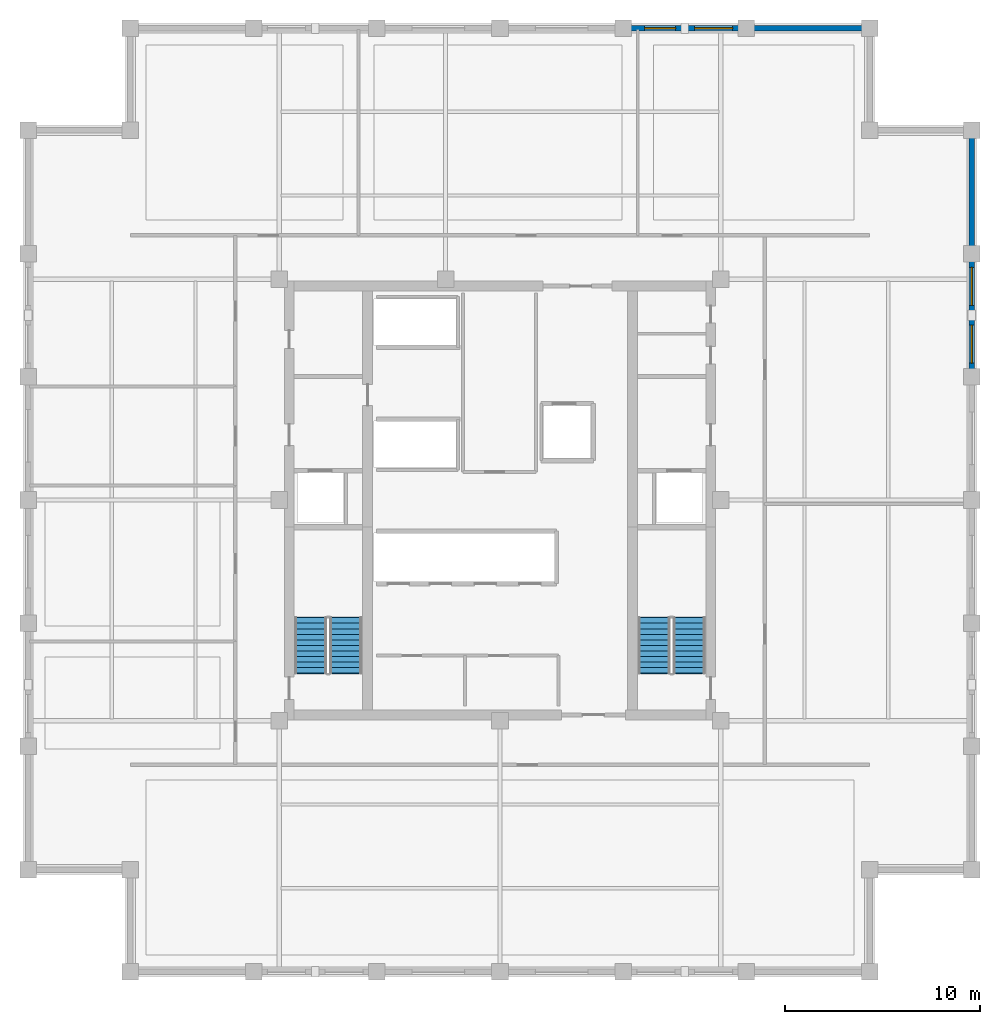
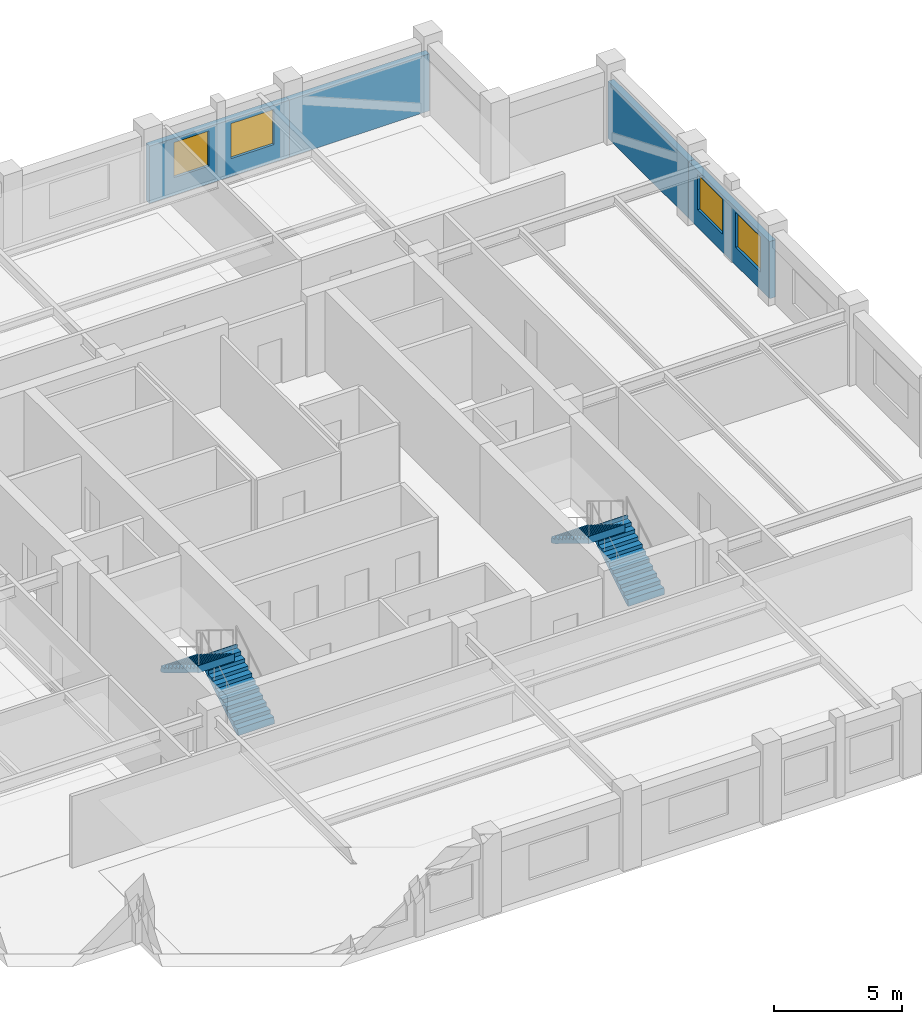
# One storey, part 5 of 9: 4 stair flights, 4 walls, 4 windows, 4 openings, 2 elements without a shape of their own.
"""IFC4 building model written with IfcOpenShell, lengths in metres."""

from ifc_helpers import new_model, si_unit, direction, frame, frame_2d, origin, place, context, subcontext, project, spatial, polyline, rectangle, outline, extrude, material, layer, layer_set, type_object, element, fill, aggregate, save


model = new_model("IFC4")

# Units and contexts
model_context = context("Model", 3, precision=1e-05, world=origin(), true_north=direction((0.0, 1.0)))
body_context = subcontext(model_context, "Body", "Model", "MODEL_VIEW")
ifc_project = project(units=[si_unit("LENGTHUNIT", "METRE"), si_unit("AREAUNIT", "SQUARE_METRE"), si_unit("VOLUMEUNIT", "CUBIC_METRE"), si_unit("PLANEANGLEUNIT", "RADIAN"), si_unit("MASSUNIT", "GRAM", prefix="KILO")], contexts=[model_context])

# Site, building, storey
site_placement = place(None, origin())
site = spatial("IfcSite", under=ifc_project, at=site_placement, CompositionType="ELEMENT")
building_placement = place(site_placement, origin())
building = spatial("IfcBuilding", under=site, at=building_placement, Name="Nhamokura Convention Tower", CompositionType="ELEMENT")
storey_placement = place(building_placement, frame((0.0, 0.0, 186.89990234375)))
storey = spatial("IfcBuildingStorey", under=building, at=storey_placement, Name="L45", CompositionType="ELEMENT", Elevation=186.89990234375)

# Wall, openings, windows
ifc_material_1 = material(Name="Bronze-pigmented precast concrete C45/55", Category="concrete")
ifc_layer = layer(ifc_material_1, 0.280029296875)
ifc_layer_set = layer_set([ifc_layer], Name="BronzePrecastSpandrel_280")
wall_type = type_object("IfcWallType", Name="BronzePrecastSpandrel_280", PredefinedType="USERDEFINED", material=ifc_layer_set)
wall_1_placement = place(storey_placement, frame((38.333251953125, 56.25, 0.0), z_axis=(0.0, 0.0, 1.0), x_axis=(1.0, 0.0, 0.0)))
wall_1 = element("IfcWall", 1, at=wall_1_placement, inside=storey, type_object=wall_type, Name="L45 Masonry-Frame Wall NORTH 4", ObjectType="SPANDREL_WALL", PredefinedType="USERDEFINED", context=body_context, shape_type="SweptSolid", body=[
    extrude(rectangle(XDim=6.33349609375, YDim=0.280029296875, at=frame_2d((3.166748046875, 0.0))), origin(), (0.0, 0.0, 1.0), 2.72998046875),
])
opening_1_placement = place(wall_1_placement, frame((1.095703125, 0.0, 0.85009765625)))
opening_1 = element("IfcOpeningElement", 2, at=opening_1_placement, cuts=wall_1, Name="Opening W-11", PredefinedType="OPENING", context=body_context, shape_type="SweptSolid", body=[
    extrude(rectangle(XDim=1.60009765625, YDim=1.679931640625, at=frame_2d((0.800048828125, 0.83984375))), frame((0.0, 0.14990234375, 0.0), z_axis=(0.0, -1.0, 0.0), x_axis=(1.0, 0.0, 0.0)), (0.0, 0.0, 1.0), 0.300048828125),
])
opening_2_placement = place(wall_1_placement, frame((3.675048828125, 0.0, 0.85009765625)))
opening_2 = element("IfcOpeningElement", 3, at=opening_2_placement, cuts=wall_1, Name="Opening W-08", PredefinedType="OPENING", context=body_context, shape_type="SweptSolid", body=[
    extrude(rectangle(XDim=1.949951171875, YDim=1.679931640625, at=frame_2d((0.97509765625, 0.83984375))), frame((0.0, 0.14990234375, 0.0), z_axis=(0.0, -1.0, 0.0), x_axis=(1.0, 0.0, 0.0)), (0.0, 0.0, 1.0), 0.300048828125),
])
ifc_material_2 = material(Name="Solar-control bronze low-E double glass", Category="glass")
window_type_1 = type_object("IfcWindowType", Name="NotchCornerWindow_1600", PartitioningType="SINGLE_PANEL", PredefinedType="WINDOW", material=ifc_material_2)
window_1_placement = place(opening_1_placement, origin())
window_1 = element("IfcWindow", 4, at=window_1_placement, inside=storey, type_object=window_type_1, Name="L45 Facade Window NORTH 4-1", OverallHeight=1.679931640625, OverallWidth=1.60009765625, PartitioningType="SINGLE_PANEL", PredefinedType="WINDOW", context=body_context, shape_type="SweptSolid", body=[
    extrude(rectangle(XDim=1.60009765625, YDim=1.679931640625, at=frame_2d((0.800048828125, 0.83984375))), frame((0.0, 0.030029296875, 0.0), z_axis=(0.0, -1.0, 0.0), x_axis=(1.0, 0.0, 0.0)), (0.0, 0.0, 1.0), 0.06005859375),
])
fill(opening_1, window_1)
ifc_material_3 = material(Name="Solar-control bronze low-E double glass", Category="glass")
window_type_2 = type_object("IfcWindowType", Name="OfficeModuleWindow_Z3_1950", PartitioningType="SINGLE_PANEL", PredefinedType="WINDOW", material=ifc_material_3)
window_2_placement = place(opening_2_placement, origin())
window_2 = element("IfcWindow", 5, at=window_2_placement, inside=storey, type_object=window_type_2, Name="L45 Facade Window NORTH 4-2", OverallHeight=1.679931640625, OverallWidth=1.949951171875, PartitioningType="SINGLE_PANEL", PredefinedType="WINDOW", context=body_context, shape_type="SweptSolid", body=[
    extrude(rectangle(XDim=1.949951171875, YDim=1.679931640625, at=frame_2d((0.97509765625, 0.83984375))), frame((0.0, 0.030029296875, 0.0), z_axis=(0.0, -1.0, 0.0), x_axis=(1.0, 0.0, 0.0)), (0.0, 0.0, 1.0), 0.06005859375),
])
fill(opening_2, window_2)

# Wall
wall_2_placement = place(storey_placement, frame((44.666748046875, 56.25, 0.0), z_axis=(0.0, 0.0, 1.0), x_axis=(1.0, 0.0, 0.0)))
element("IfcWall", 6, at=wall_2_placement, inside=storey, type_object=wall_type, Name="L45 Braced-Bay Precast Wall NORTH 5", ObjectType="SPANDREL_WALL", PredefinedType="USERDEFINED", context=body_context, shape_type="SweptSolid", body=[
    extrude(rectangle(XDim=6.333251953125, YDim=0.280029296875, at=frame_2d((3.16650390625, 0.0))), origin(), (0.0, 0.0, 1.0), 2.72998046875),
])

# Wall, openings, windows
wall_3_placement = place(storey_placement, frame((56.25, 44.666748046875, 0.0), z_axis=(0.0, 0.0, 1.0), x_axis=(0.0, -1.0, 0.0)))
wall_3 = element("IfcWall", 7, at=wall_3_placement, inside=storey, type_object=wall_type, Name="L45 Masonry-Frame Wall EAST 4", ObjectType="SPANDREL_WALL", PredefinedType="USERDEFINED", context=body_context, shape_type="SweptSolid", body=[
    extrude(rectangle(XDim=6.33349609375, YDim=0.280029296875, at=frame_2d((3.166748046875, 0.0))), origin(), (0.0, 0.0, 1.0), 2.72998046875),
])
opening_3_placement = place(wall_3_placement, frame((0.708251953125, 0.0, 0.85009765625)))
opening_3 = element("IfcOpeningElement", 8, at=opening_3_placement, cuts=wall_3, Name="Opening W-08", PredefinedType="OPENING", context=body_context, shape_type="SweptSolid", body=[
    extrude(rectangle(XDim=1.949951171875, YDim=1.679931640625, at=frame_2d((0.97509765625, 0.83984375))), frame((0.0, 0.14990234375, 0.0), z_axis=(0.0, -1.0, 0.0), x_axis=(1.0, 0.0, 0.0)), (0.0, 0.0, 1.0), 0.300048828125),
])
opening_4_placement = place(wall_3_placement, frame((3.675048828125, 0.0, 0.85009765625)))
opening_4 = element("IfcOpeningElement", 9, at=opening_4_placement, cuts=wall_3, Name="Opening W-08", PredefinedType="OPENING", context=body_context, shape_type="SweptSolid", body=[
    extrude(rectangle(XDim=1.949951171875, YDim=1.679931640625, at=frame_2d((0.97509765625, 0.83984375))), frame((0.0, 0.14990234375, 0.0), z_axis=(0.0, -1.0, 0.0), x_axis=(1.0, 0.0, 0.0)), (0.0, 0.0, 1.0), 0.300048828125),
])
window_3_placement = place(opening_3_placement, origin())
window_3 = element("IfcWindow", 10, at=window_3_placement, inside=storey, type_object=window_type_2, Name="L45 Facade Window EAST 4-1", OverallHeight=1.679931640625, OverallWidth=1.949951171875, PartitioningType="SINGLE_PANEL", PredefinedType="WINDOW", context=body_context, shape_type="SweptSolid", body=[
    extrude(rectangle(XDim=1.949951171875, YDim=1.679931640625, at=frame_2d((0.97509765625, 0.83984375))), frame((0.0, 0.030029296875, 0.0), z_axis=(0.0, -1.0, 0.0), x_axis=(1.0, 0.0, 0.0)), (0.0, 0.0, 1.0), 0.06005859375),
])
fill(opening_3, window_3)
window_4_placement = place(opening_4_placement, origin())
window_4 = element("IfcWindow", 11, at=window_4_placement, inside=storey, type_object=window_type_2, Name="L45 Facade Window EAST 4-2", OverallHeight=1.679931640625, OverallWidth=1.949951171875, PartitioningType="SINGLE_PANEL", PredefinedType="WINDOW", context=body_context, shape_type="SweptSolid", body=[
    extrude(rectangle(XDim=1.949951171875, YDim=1.679931640625, at=frame_2d((0.97509765625, 0.83984375))), frame((0.0, 0.030029296875, 0.0), z_axis=(0.0, -1.0, 0.0), x_axis=(1.0, 0.0, 0.0)), (0.0, 0.0, 1.0), 0.06005859375),
])
fill(opening_4, window_4)

# Wall
wall_4_placement = place(storey_placement, frame((56.25, 51.0, 0.0), z_axis=(0.0, 0.0, 1.0), x_axis=(0.0, -1.0, 0.0)))
element("IfcWall", 12, at=wall_4_placement, inside=storey, type_object=wall_type, Name="L45 Braced-Bay Precast Wall EAST 5", ObjectType="SPANDREL_WALL", PredefinedType="USERDEFINED", context=body_context, shape_type="SweptSolid", body=[
    extrude(rectangle(XDim=6.333251953125, YDim=0.280029296875, at=frame_2d((3.16650390625, 0.0))), origin(), (0.0, 0.0, 1.0), 2.72998046875),
])

# Stair, stair flights
ifc_material_4 = material(Name="Concrete C40/50", Category="concrete")
stair_type = type_object("IfcStairType", Name="TowerCoreStair_1650", PredefinedType="HALF_TURN_STAIR", material=ifc_material_4)
stair_1_placement = place(storey_placement, origin())
stair_1 = element("IfcStair", 13, at=stair_1_placement, inside=storey, type_object=stair_type, Name="L45 West Core Smokeproof Stair ST-01", PredefinedType="HALF_TURN_STAIR")
ifc_material_5 = material(Name="Concrete C40/50", Category="concrete")
stair_flight_type = type_object("IfcStairFlightType", Name="TowerCoreStair_1650_Flight", PredefinedType="STRAIGHT", material=ifc_material_5)
stair_flight_1_placement = place(storey_placement, frame((24.074951171875, 23.10009765625, 0.0), z_axis=(0.0, 0.0, 1.0), x_axis=(0.0, 1.0, 0.0)))
stair_flight_1 = element("IfcStairFlight", 14, at=stair_flight_1_placement, type_object=stair_flight_type, Name="ST-01 flight 1", NumberOfRisers=11, NumberOfTreads=10, PredefinedType="STRAIGHT", RiserHeight=0.175, TreadLength=0.285, context=body_context, shape_type="SweptSolid", body=[
    extrude(outline(polyline([(-0.0419921875, 0.0), (0.0, 0.175048828125), (0.284912109375, 0.175048828125), (0.284912109375, 0.35009765625), (0.570068359375, 0.35009765625), (0.570068359375, 0.52490234375), (0.85498046875, 0.52490234375), (0.85498046875, 0.699951171875), (1.139892578125, 0.699951171875), (1.139892578125, 0.875), (1.425048828125, 0.875), (1.425048828125, 1.050048828125), (1.7099609375, 1.050048828125), (1.7099609375, 1.22509765625), (1.9951171875, 1.22509765625), (1.9951171875, 1.39990234375), (2.280029296875, 1.39990234375), (2.280029296875, 1.574951171875), (2.56494140625, 1.574951171875), (2.56494140625, 1.75), (2.85009765625, 1.75), (2.85009765625, 1.925048828125), (2.89208984375, 1.925048828125), (2.89208984375, 1.573974609375), (2.85009765625, 1.573974609375), (0.286376953125, 0.0), (0.02001953125, -0.1298828125), (-0.0419921875, -0.1298828125), (-0.0419921875, 0.0)])), frame((0.0, 0.824951171875, 0.0), z_axis=(0.0, -1.0, 0.0), x_axis=(1.0, 0.0, 0.0)), (0.0, 0.0, 1.0), 1.64990234375),
])
stair_flight_2_placement = place(storey_placement, frame((22.27490234375, 25.949951171875, 1.925048828125), z_axis=(0.0, 0.0, 1.0), x_axis=(0.0, -1.0, 0.0)))
stair_flight_2 = element("IfcStairFlight", 15, at=stair_flight_2_placement, type_object=stair_flight_type, Name="ST-01 flight 2", NumberOfRisers=11, NumberOfTreads=10, PredefinedType="STRAIGHT", RiserHeight=0.175, TreadLength=0.285, context=body_context, shape_type="SweptSolid", body=[
    extrude(outline(polyline([(-0.0419921875, 0.0), (0.0, 0.175048828125), (0.284912109375, 0.175048828125), (0.284912109375, 0.35009765625), (0.570068359375, 0.35009765625), (0.570068359375, 0.52490234375), (0.85498046875, 0.52490234375), (0.85498046875, 0.699951171875), (1.139892578125, 0.699951171875), (1.139892578125, 0.875), (1.425048828125, 0.875), (1.425048828125, 1.050048828125), (1.7099609375, 1.050048828125), (1.7099609375, 1.22509765625), (1.9951171875, 1.22509765625), (1.9951171875, 1.39990234375), (2.280029296875, 1.39990234375), (2.280029296875, 1.574951171875), (2.56494140625, 1.574951171875), (2.56494140625, 1.75), (2.85009765625, 1.75), (2.85009765625, 1.925048828125), (2.89208984375, 1.925048828125), (2.89208984375, 1.573974609375), (2.85009765625, 1.573974609375), (0.286376953125, 0.0), (0.02001953125, -0.1298828125), (-0.0419921875, -0.1298828125), (-0.0419921875, 0.0)])), frame((0.0, 0.824951171875, 0.0), z_axis=(0.0, -1.0, 0.0), x_axis=(1.0, 0.0, 0.0)), (0.0, 0.0, 1.0), 1.64990234375),
])
aggregate(stair_1, [stair_flight_1, stair_flight_2])

stair_2_placement = place(storey_placement, origin())
stair_2 = element("IfcStair", 16, at=stair_2_placement, inside=storey, type_object=stair_type, Name="L45 East Core Smokeproof Stair ST-02", PredefinedType="HALF_TURN_STAIR")
stair_flight_3_placement = place(storey_placement, frame((41.72509765625, 23.10009765625, 0.0), z_axis=(0.0, 0.0, 1.0), x_axis=(0.0, 1.0, 0.0)))
stair_flight_3 = element("IfcStairFlight", 17, at=stair_flight_3_placement, type_object=stair_flight_type, Name="ST-02 flight 1", NumberOfRisers=11, NumberOfTreads=10, PredefinedType="STRAIGHT", RiserHeight=0.175, TreadLength=0.285, context=body_context, shape_type="SweptSolid", body=[
    extrude(outline(polyline([(-0.0419921875, 0.0), (0.0, 0.175048828125), (0.284912109375, 0.175048828125), (0.284912109375, 0.35009765625), (0.570068359375, 0.35009765625), (0.570068359375, 0.52490234375), (0.85498046875, 0.52490234375), (0.85498046875, 0.699951171875), (1.139892578125, 0.699951171875), (1.139892578125, 0.875), (1.425048828125, 0.875), (1.425048828125, 1.050048828125), (1.7099609375, 1.050048828125), (1.7099609375, 1.22509765625), (1.9951171875, 1.22509765625), (1.9951171875, 1.39990234375), (2.280029296875, 1.39990234375), (2.280029296875, 1.574951171875), (2.56494140625, 1.574951171875), (2.56494140625, 1.75), (2.85009765625, 1.75), (2.85009765625, 1.925048828125), (2.89208984375, 1.925048828125), (2.89208984375, 1.573974609375), (2.85009765625, 1.573974609375), (0.286376953125, 0.0), (0.02001953125, -0.1298828125), (-0.0419921875, -0.1298828125), (-0.0419921875, 0.0)])), frame((0.0, 0.824951171875, 0.0), z_axis=(0.0, -1.0, 0.0), x_axis=(1.0, 0.0, 0.0)), (0.0, 0.0, 1.0), 1.64990234375),
])
stair_flight_4_placement = place(storey_placement, frame((39.925048828125, 25.949951171875, 1.925048828125), z_axis=(0.0, 0.0, 1.0), x_axis=(0.0, -1.0, 0.0)))
stair_flight_4 = element("IfcStairFlight", 18, at=stair_flight_4_placement, type_object=stair_flight_type, Name="ST-02 flight 2", NumberOfRisers=11, NumberOfTreads=10, PredefinedType="STRAIGHT", RiserHeight=0.175, TreadLength=0.285, context=body_context, shape_type="SweptSolid", body=[
    extrude(outline(polyline([(-0.0419921875, 0.0), (0.0, 0.175048828125), (0.284912109375, 0.175048828125), (0.284912109375, 0.35009765625), (0.570068359375, 0.35009765625), (0.570068359375, 0.52490234375), (0.85498046875, 0.52490234375), (0.85498046875, 0.699951171875), (1.139892578125, 0.699951171875), (1.139892578125, 0.875), (1.425048828125, 0.875), (1.425048828125, 1.050048828125), (1.7099609375, 1.050048828125), (1.7099609375, 1.22509765625), (1.9951171875, 1.22509765625), (1.9951171875, 1.39990234375), (2.280029296875, 1.39990234375), (2.280029296875, 1.574951171875), (2.56494140625, 1.574951171875), (2.56494140625, 1.75), (2.85009765625, 1.75), (2.85009765625, 1.925048828125), (2.89208984375, 1.925048828125), (2.89208984375, 1.573974609375), (2.85009765625, 1.573974609375), (0.286376953125, 0.0), (0.02001953125, -0.1298828125), (-0.0419921875, -0.1298828125), (-0.0419921875, 0.0)])), frame((0.0, 0.824951171875, 0.0), z_axis=(0.0, -1.0, 0.0), x_axis=(1.0, 0.0, 0.0)), (0.0, 0.0, 1.0), 1.64990234375),
])
aggregate(stair_2, [stair_flight_3, stair_flight_4])

save(model, "model.ifc")
